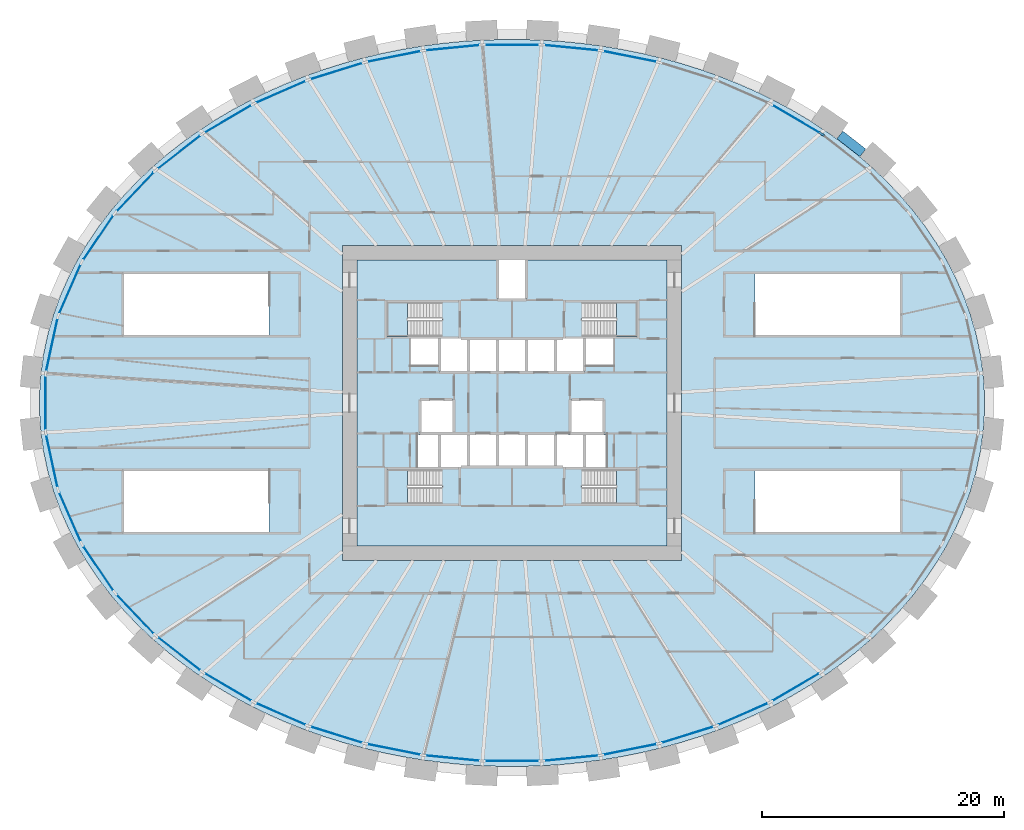
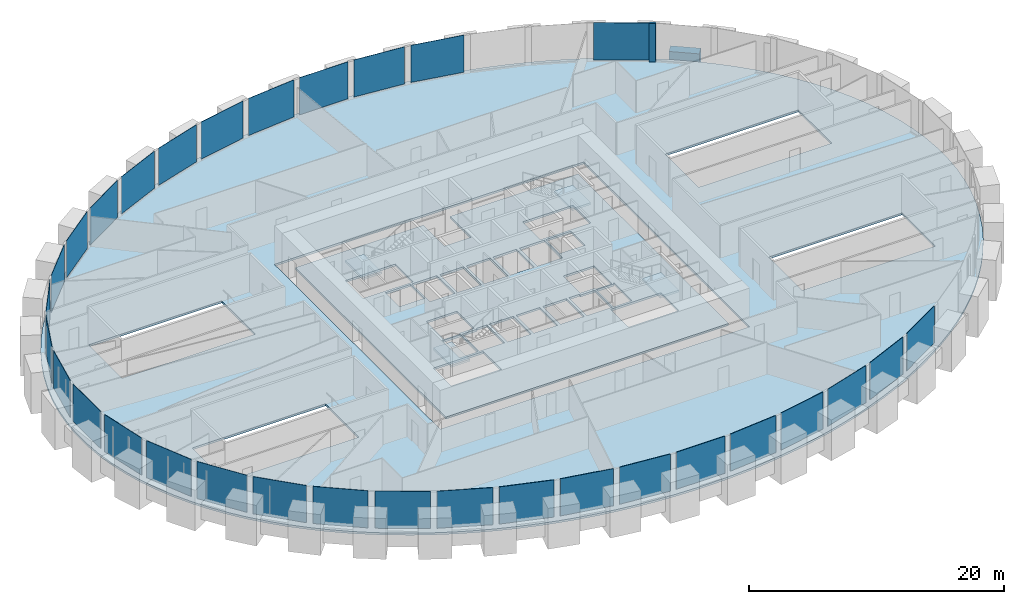
# One storey, part 4 of 12: 31 plates, 6 slabs, 1 beam, 1 member, 5 elements without a shape of their own.
"""IFC4 building model written with IfcOpenShell, lengths in metres."""

from ifc_helpers import new_model, si_unit, direction, frame, origin, origin_2d, place, context, subcontext, project, spatial, polyline, rectangle, outline, extrude, source, transform, mapped, material, layer, layer_set, material_profile, profile_set, type_object, element, aggregate, save


model = new_model("IFC4")

# Units and contexts
model_context = context("Model", 3, precision=1e-05, world=origin(), true_north=direction((0.0, 1.0)))
body_context = subcontext(model_context, "Body", "Model", "MODEL_VIEW")
ifc_project = project(units=[si_unit("LENGTHUNIT", "METRE"), si_unit("AREAUNIT", "SQUARE_METRE"), si_unit("VOLUMEUNIT", "CUBIC_METRE"), si_unit("PLANEANGLEUNIT", "RADIAN"), si_unit("MASSUNIT", "GRAM", prefix="KILO")], contexts=[model_context])

# Site, building, storey
site_placement = place(None, origin())
site = spatial("IfcSite", under=ifc_project, at=site_placement, CompositionType="ELEMENT")
building_placement = place(site_placement, origin())
building = spatial("IfcBuilding", under=site, at=building_placement, Name="Embergate Tower", CompositionType="ELEMENT")
storey_placement = place(building_placement, frame((0.0, 0.0, 38.0)))
storey = spatial("IfcBuildingStorey", under=building, at=storey_placement, Name="L05", CompositionType="ELEMENT", Elevation=38.0)

# Beam
ifc_material_1 = material(Name="Concrete C70", Category="concrete")
ifc_material_profile_1 = material_profile(ifc_material_1, rectangle(XDim=0.800048828125, YDim=1.5, at=origin_2d()), Name="RC 800x1500")
ifc_profile_set_1 = profile_set([ifc_material_profile_1], Name="Concrete C70")
beam_type = type_object("IfcBeamType", Name="Spandrel beam RC 800x1500 C70", PredefinedType="BEAM", material=ifc_profile_set_1)
shared_shape_1 = source(origin(), body_context, "Body", "SweptSolid", [
    extrude(rectangle(XDim=0.800048828125, YDim=1.5, at=origin_2d()), origin(), (0.0, 0.0, 1.0), 2.40234375),
])
beam_placement = place(storey_placement, frame((28.94189453125, 20.637939453125, 0.0), z_axis=(-0.788327805862, 0.615255451423, 0.0), x_axis=(-0.615255451423, -0.788327805862, 0.0)))
element("IfcBeam", 1, at=beam_placement, inside=storey, type_object=beam_type, Name="SPN-L05-04", PredefinedType="BEAM", context=body_context, shape_type="MappedRepresentation", body=[
    mapped(shared_shape_1, transform((0.0, 0.0, 0.0))),
])

# Curtain wall, member
ifc_material_2 = material(Name="Aluminium and glass", Category="aluminium")
curtain_wall_type = type_object("IfcCurtainWallType", Name="Recessed office glazing", PredefinedType="NOTDEFINED", material=ifc_material_2)
curtain_wall_placement = place(storey_placement, origin())
curtain_wall = element("IfcCurtainWall", 2, at=curtain_wall_placement, inside=storey, type_object=curtain_wall_type, Name="Recessed office glazing ring", ObjectType="RECESSED OFFICE GLAZING", PredefinedType="USERDEFINED")
ifc_material_3 = material(Name="Aluminium, thermally broken", Category="aluminium")
ifc_material_profile_2 = material_profile(ifc_material_3, rectangle(XDim=0.179931640625, YDim=0.52001953125, at=origin_2d()), Name="AL 520x180")
ifc_profile_set_2 = profile_set([ifc_material_profile_2], Name="Aluminium, thermally broken")
member_type = type_object("IfcMemberType", Name="Office mullion", PredefinedType="MULLION", material=ifc_profile_set_2)
shared_shape_2 = source(origin(), body_context, "Body", "SweptSolid", [
    extrude(rectangle(XDim=0.179931640625, YDim=0.52001953125, at=origin_2d()), origin(), (0.0, 0.0, 1.0), 3.699951171875),
])
member_placement = place(storey_placement, frame((25.53271484375, 22.19677734375, 0.0), z_axis=(0.0, 0.0, 1.0), x_axis=(-0.562216175174, -0.826990309721, 0.0)))
member = element("IfcMember", 3, at=member_placement, type_object=member_type, Name="CW mullion 6", PredefinedType="MULLION", context=body_context, shape_type="MappedRepresentation", body=[
    mapped(shared_shape_2, transform((0.0, 0.0, 0.0))),
])

# Slab
ifc_material_4 = material(Name="Concrete C40", Category="concrete")
ifc_layer_1 = layer(ifc_material_4, 0.199951171875)
ifc_layer_set_1 = layer_set([ifc_layer_1], Name="Concrete C40")
slab_type_1 = type_object("IfcSlabType", Name="Composite floor slab C40 200", PredefinedType="FLOOR", material=ifc_layer_set_1)
shared_shape_3 = source(origin(), body_context, "Body", "SweptSolid", [
    extrude(outline(polyline([(0.0, 0.0), (1.64990234375, 0.0), (3.296875, 0.05322265625), (4.946044921875, 0.1611328125), (6.5869140625, 0.322021484375), (8.218017578125, 0.537109375), (9.850830078125, 0.80810546875), (11.468017578125, 1.132080078125), (13.06494140625, 1.509033203125), (14.666015625, 1.946044921875), (16.240966796875, 2.43701171875), (17.785888671875, 2.97900390625), (19.3330078125, 3.588134765625), (20.843994140625, 4.248046875), (22.31494140625, 4.960205078125), (23.784912109375, 5.7451171875), (25.2060546875, 6.580078125), (26.575927734375, 7.465087890625), (27.93701171875, 8.43115234375), (29.237060546875, 9.445068359375), (30.471923828125, 10.506103515625), (31.68505859375, 11.654052734375), (32.822998046875, 12.84716796875), (33.883056640625, 14.08203125), (34.89892578125, 15.4072265625), (35.825927734375, 16.76904296875), (36.660888671875, 18.1669921875), (37.425048828125, 19.647216796875), (38.0869140625, 21.156005859375), (38.64404296875, 22.690185546875), (39.10400390625, 24.283203125), (39.450927734375, 25.89404296875), (39.682861328125, 27.51708984375), (39.800048828125, 29.1611328125), (39.800048828125, 30.80908203125), (39.682861328125, 32.453125), (39.450927734375, 34.076171875), (39.10400390625, 35.68701171875), (38.64404296875, 37.280029296875), (38.0869140625, 38.814208984375), (37.425048828125, 40.322998046875), (36.660888671875, 41.80322265625), (35.825927734375, 43.201171875), (34.89892578125, 44.56298828125), (33.883056640625, 45.88818359375), (32.822998046875, 47.123046875), (31.68505859375, 48.316162109375), (30.471923828125, 49.464111328125), (29.237060546875, 50.525146484375), (27.93701171875, 51.5390625), (26.575927734375, 52.505126953125), (25.2060546875, 53.39013671875), (23.784912109375, 54.22509765625), (22.31494140625, 55.010009765625), (20.843994140625, 55.72216796875), (19.3330078125, 56.382080078125), (17.785888671875, 56.9912109375), (16.240966796875, 57.533203125), (14.666015625, 58.024169921875), (13.06494140625, 58.461181640625), (11.468017578125, 58.838134765625), (9.850830078125, 59.162109375), (8.218017578125, 59.43310546875), (6.5869140625, 59.648193359375), (4.946044921875, 59.80908203125), (3.296875, 59.9169921875), (1.64990234375, 59.97021484375), (0.0, 59.97021484375), (-1.64697265625, 59.9169921875), (-3.296142578125, 59.80908203125), (-4.93701171875, 59.648193359375), (-6.568115234375, 59.43310546875), (-8.200927734375, 59.162109375), (-9.818115234375, 58.838134765625), (-11.4150390625, 58.461181640625), (-13.01611328125, 58.024169921875), (-14.591064453125, 57.533203125), (-16.135986328125, 56.9912109375), (-17.68310546875, 56.382080078125), (-19.194091796875, 55.72216796875), (-20.6650390625, 55.010009765625), (-22.135009765625, 54.22509765625), (-23.55615234375, 53.39013671875), (-24.926025390625, 52.505126953125), (-26.287109375, 51.5390625), (-27.587158203125, 50.525146484375), (-28.822021484375, 49.464111328125), (-30.03515625, 48.316162109375), (-31.173095703125, 47.123046875), (-32.233154296875, 45.88818359375), (-33.2490234375, 44.56298828125), (-34.176025390625, 43.201171875), (-35.010986328125, 41.80322265625), (-35.775146484375, 40.322998046875), (-36.43701171875, 38.814208984375), (-36.994140625, 37.280029296875), (-37.4541015625, 35.68701171875), (-37.801025390625, 34.076171875), (-38.032958984375, 32.453125), (-38.150146484375, 30.80908203125), (-38.150146484375, 29.1611328125), (-38.032958984375, 27.51708984375), (-37.801025390625, 25.89404296875), (-37.4541015625, 24.283203125), (-36.994140625, 22.690185546875), (-36.43701171875, 21.156005859375), (-35.775146484375, 19.647216796875), (-35.010986328125, 18.1669921875), (-34.176025390625, 16.76904296875), (-33.2490234375, 15.4072265625), (-32.233154296875, 14.08203125), (-31.173095703125, 12.84716796875), (-30.03515625, 11.654052734375), (-28.822021484375, 10.506103515625), (-27.587158203125, 9.445068359375), (-26.287109375, 8.43115234375), (-24.926025390625, 7.465087890625), (-23.55615234375, 6.580078125), (-22.135009765625, 5.7451171875), (-20.6650390625, 4.960205078125), (-19.194091796875, 4.248046875), (-17.68310546875, 3.588134765625), (-16.135986328125, 2.97900390625), (-14.591064453125, 2.43701171875), (-13.01611328125, 1.946044921875), (-11.4150390625, 1.509033203125), (-9.818115234375, 1.132080078125), (-8.200927734375, 0.80810546875), (-6.568115234375, 0.537109375), (-4.93701171875, 0.322021484375), (-3.296142578125, 0.1611328125), (-1.64697265625, 0.05322265625), (0.0, 0.0)]), holes=[polyline([(-13.175048828125, 16.985107421875), (-13.175048828125, 42.985107421875), (14.824951171875, 42.985107421875), (14.824951171875, 16.985107421875), (-13.175048828125, 16.985107421875)]), polyline([(-31.295166015625, 19.235107421875), (-31.295166015625, 24.485107421875), (-19.235107421875, 24.485107421875), (-19.235107421875, 19.235107421875), (-31.295166015625, 19.235107421875)]), polyline([(20.885009765625, 19.235107421875), (20.885009765625, 24.485107421875), (32.945068359375, 24.485107421875), (32.945068359375, 19.235107421875), (20.885009765625, 19.235107421875)]), polyline([(-31.295166015625, 35.485107421875), (-31.295166015625, 40.735107421875), (-19.235107421875, 40.735107421875), (-19.235107421875, 35.485107421875), (-31.295166015625, 35.485107421875)]), polyline([(20.885009765625, 35.485107421875), (20.885009765625, 40.735107421875), (32.945068359375, 40.735107421875), (32.945068359375, 35.485107421875), (20.885009765625, 35.485107421875)])]), origin(), (0.0, 0.0, 1.0), 0.199951171875),
])
slab_1_placement = place(storey_placement, frame((-0.824951171875, -29.985107421875, -0.199951171875)))
element("IfcSlab", 4, at=slab_1_placement, inside=storey, type_object=slab_type_1, Name="SLB-L05-00", PredefinedType="FLOOR", context=body_context, shape_type="MappedRepresentation", body=[
    mapped(shared_shape_3, transform((0.0, 0.0, 0.0))),
])

# Plate
ifc_material_5 = material(Name="Triple glazing, low-emissivity coating", Category="glass")
ifc_layer_2 = layer(ifc_material_5, 0.035888671875)
ifc_layer_set_2 = layer_set([ifc_layer_2], Name="Triple glazing, low-emissivity coating")
plate_type = type_object("IfcPlateType", Name="Office glazing unit", PredefinedType="CURTAIN_PANEL", material=ifc_layer_set_2)
shared_shape_4 = source(origin(), body_context, "Body", "SweptSolid", [
    extrude(rectangle(XDim=4.336181640625, YDim=0.035888671875, at=origin_2d()), origin(), (0.0, 0.0, 1.0), 3.550048828125),
])
plate_1_placement = place(storey_placement, frame((-37.958984375, 4.800537109375, 0.14990234375), z_axis=(0.0, 0.0, 1.0), x_axis=(-0.210398391177, -0.97761573074, 0.0)))
plate_1 = element("IfcPlate", 5, at=plate_1_placement, type_object=plate_type, Name="CW panel 21.1", PredefinedType="CURTAIN_PANEL", context=body_context, shape_type="MappedRepresentation", body=[
    mapped(shared_shape_4, transform((0.0, 0.0, 0.0))),
])

plate_2_placement = place(storey_placement, frame((-37.958984375, -4.800537109375, 0.14990234375), z_axis=(0.0, 0.0, 1.0), x_axis=(0.210398391177, -0.97761573074, 0.0)))
plate_2 = element("IfcPlate", 6, at=plate_2_placement, type_object=plate_type, Name="CW panel 23.1", PredefinedType="CURTAIN_PANEL", context=body_context, shape_type="MappedRepresentation", body=[
    mapped(shared_shape_4, transform((0.0, 0.0, 0.0))),
])

shared_shape_5 = source(origin(), body_context, "Body", "SweptSolid", [
    extrude(rectangle(XDim=4.34326171875, YDim=0.035888671875, at=origin_2d()), origin(), (0.0, 0.0, 1.0), 3.550048828125),
])
plate_3_placement = place(storey_placement, frame((-36.471435546875, 9.401123046875, 0.14990234375), z_axis=(0.0, 0.0, 1.0), x_axis=(-0.401653699516, -0.915791627864, 0.0)))
plate_3 = element("IfcPlate", 7, at=plate_3_placement, type_object=plate_type, Name="CW panel 20.1", PredefinedType="CURTAIN_PANEL", context=body_context, shape_type="MappedRepresentation", body=[
    mapped(shared_shape_5, transform((0.0, 0.0, 0.0))),
])

plate_4_placement = place(storey_placement, frame((-36.471435546875, -9.401123046875, 0.14990234375), z_axis=(0.0, 0.0, 1.0), x_axis=(0.401653699516, -0.915791627864, 0.0)))
plate_4 = element("IfcPlate", 8, at=plate_4_placement, type_object=plate_type, Name="CW panel 24.1", PredefinedType="CURTAIN_PANEL", context=body_context, shape_type="MappedRepresentation", body=[
    mapped(shared_shape_5, transform((0.0, 0.0, 0.0))),
])

shared_shape_6 = source(origin(), body_context, "Body", "SweptSolid", [
    extrude(rectangle(XDim=4.352294921875, YDim=0.035888671875, at=origin_2d()), origin(), (0.0, 0.0, 1.0), 3.550048828125),
])
plate_5_placement = place(storey_placement, frame((-34.125, 13.642578125, 0.14990234375), z_axis=(0.0, 0.0, 1.0), x_axis=(-0.562344628355, -0.826902968286, 0.0)))
plate_5 = element("IfcPlate", 9, at=plate_5_placement, type_object=plate_type, Name="CW panel 19.1", PredefinedType="CURTAIN_PANEL", context=body_context, shape_type="MappedRepresentation", body=[
    mapped(shared_shape_6, transform((0.0, 0.0, 0.0))),
])

plate_6_placement = place(storey_placement, frame((-34.125, -13.642578125, 0.14990234375), z_axis=(0.0, 0.0, 1.0), x_axis=(0.562344628355, -0.826902968286, 0.0)))
plate_6 = element("IfcPlate", 10, at=plate_6_placement, type_object=plate_type, Name="CW panel 25.1", PredefinedType="CURTAIN_PANEL", context=body_context, shape_type="MappedRepresentation", body=[
    mapped(shared_shape_6, transform((0.0, 0.0, 0.0))),
])

shared_shape_7 = source(origin(), body_context, "Body", "SweptSolid", [
    extrude(rectangle(XDim=4.36083984375, YDim=0.035888671875, at=origin_2d()), origin(), (0.0, 0.0, 1.0), 3.550048828125),
])
plate_7_placement = place(storey_placement, frame((-31.07080078125, 17.423095703125, 0.14990234375), z_axis=(0.0, 0.0, 1.0), x_axis=(-0.690136310586, -0.723679399189, 0.0)))
plate_7 = element("IfcPlate", 11, at=plate_7_placement, type_object=plate_type, Name="CW panel 18.1", PredefinedType="CURTAIN_PANEL", context=body_context, shape_type="MappedRepresentation", body=[
    mapped(shared_shape_7, transform((0.0, 0.0, 0.0))),
])

plate_8_placement = place(storey_placement, frame((-31.07080078125, -17.423095703125, 0.14990234375), z_axis=(0.0, 0.0, 1.0), x_axis=(0.690136310586, -0.723679399189, 0.0)))
plate_8 = element("IfcPlate", 12, at=plate_8_placement, type_object=plate_type, Name="CW panel 26.1", PredefinedType="CURTAIN_PANEL", context=body_context, shape_type="MappedRepresentation", body=[
    mapped(shared_shape_7, transform((0.0, 0.0, 0.0))),
])

shared_shape_8 = source(origin(), body_context, "Body", "SweptSolid", [
    extrude(rectangle(XDim=4.368408203125, YDim=0.035888671875, at=origin_2d()), origin(), (0.0, 0.0, 1.0), 3.550048828125),
])
plate_9_placement = place(storey_placement, frame((-27.459716796875, 20.69287109375, 0.14990234375), z_axis=(0.0, 0.0, 1.0), x_axis=(-0.788322266931, -0.615262548398, 0.0)))
plate_9 = element("IfcPlate", 13, at=plate_9_placement, type_object=plate_type, Name="CW panel 17.1", PredefinedType="CURTAIN_PANEL", context=body_context, shape_type="MappedRepresentation", body=[
    mapped(shared_shape_8, transform((0.0, 0.0, 0.0))),
])

plate_10_placement = place(storey_placement, frame((-27.459716796875, -20.69287109375, 0.14990234375), z_axis=(0.0, 0.0, 1.0), x_axis=(0.788322266931, -0.615262548398, 0.0)))
plate_10 = element("IfcPlate", 14, at=plate_10_placement, type_object=plate_type, Name="CW panel 27.1", PredefinedType="CURTAIN_PANEL", context=body_context, shape_type="MappedRepresentation", body=[
    mapped(shared_shape_8, transform((0.0, 0.0, 0.0))),
])

shared_shape_9 = source(origin(), body_context, "Body", "SweptSolid", [
    extrude(rectangle(XDim=4.37451171875, YDim=0.035888671875, at=origin_2d()), origin(), (0.0, 0.0, 1.0), 3.550048828125),
])
plate_11_placement = place(storey_placement, frame((23.423095703125, 23.43701171875, 0.14990234375), z_axis=(0.0, 0.0, 1.0), x_axis=(-0.862054052374, 0.506816348183, 0.0)))
plate_11 = element("IfcPlate", 15, at=plate_11_placement, type_object=plate_type, Name="CW panel 6.1", PredefinedType="CURTAIN_PANEL", context=body_context, shape_type="MappedRepresentation", body=[
    mapped(shared_shape_9, transform((0.0, 0.0, 0.0))),
])

plate_12_placement = place(storey_placement, frame((-23.423095703125, 23.43701171875, 0.14990234375), z_axis=(0.0, 0.0, 1.0), x_axis=(-0.862054052374, -0.506816348183, 0.0)))
plate_12 = element("IfcPlate", 16, at=plate_12_placement, type_object=plate_type, Name="CW panel 16.1", PredefinedType="CURTAIN_PANEL", context=body_context, shape_type="MappedRepresentation", body=[
    mapped(shared_shape_9, transform((0.0, 0.0, 0.0))),
])

plate_13_placement = place(storey_placement, frame((-23.423095703125, -23.43701171875, 0.14990234375), z_axis=(0.0, 0.0, 1.0), x_axis=(0.862054052374, -0.506816348183, 0.0)))
plate_13 = element("IfcPlate", 17, at=plate_13_placement, type_object=plate_type, Name="CW panel 28.1", PredefinedType="CURTAIN_PANEL", context=body_context, shape_type="MappedRepresentation", body=[
    mapped(shared_shape_9, transform((0.0, 0.0, 0.0))),
])

plate_14_placement = place(storey_placement, frame((23.423095703125, -23.43701171875, 0.14990234375), z_axis=(0.0, 0.0, 1.0), x_axis=(0.862054052374, 0.506816348183, 0.0)))
plate_14 = element("IfcPlate", 18, at=plate_14_placement, type_object=plate_type, Name="CW panel 38.1", PredefinedType="CURTAIN_PANEL", context=body_context, shape_type="MappedRepresentation", body=[
    mapped(shared_shape_9, transform((0.0, 0.0, 0.0))),
])

shared_shape_10 = source(origin(), body_context, "Body", "SweptSolid", [
    extrude(rectangle(XDim=4.37890625, YDim=0.035888671875, at=origin_2d()), origin(), (0.0, 0.0, 1.0), 3.550048828125),
])
plate_15_placement = place(storey_placement, frame((-19.069091796875, 25.65869140625, 0.14990234375), z_axis=(0.0, 0.0, 1.0), x_axis=(-0.916236910986, -0.400636896638, 0.0)))
plate_15 = element("IfcPlate", 19, at=plate_15_placement, type_object=plate_type, Name="CW panel 15.1", PredefinedType="CURTAIN_PANEL", context=body_context, shape_type="MappedRepresentation", body=[
    mapped(shared_shape_10, transform((0.0, 0.0, 0.0))),
])

plate_16_placement = place(storey_placement, frame((-19.069091796875, -25.65869140625, 0.14990234375), z_axis=(0.0, 0.0, 1.0), x_axis=(0.916236910986, -0.400636896638, 0.0)))
plate_16 = element("IfcPlate", 20, at=plate_16_placement, type_object=plate_type, Name="CW panel 29.1", PredefinedType="CURTAIN_PANEL", context=body_context, shape_type="MappedRepresentation", body=[
    mapped(shared_shape_10, transform((0.0, 0.0, 0.0))),
])

plate_17_placement = place(storey_placement, frame((19.069091796875, -25.65869140625, 0.14990234375), z_axis=(0.0, 0.0, 1.0), x_axis=(0.916236910986, 0.400636896638, 0.0)))
plate_17 = element("IfcPlate", 21, at=plate_17_placement, type_object=plate_type, Name="CW panel 37.1", PredefinedType="CURTAIN_PANEL", context=body_context, shape_type="MappedRepresentation", body=[
    mapped(shared_shape_10, transform((0.0, 0.0, 0.0))),
])

shared_shape_11 = source(origin(), body_context, "Body", "SweptSolid", [
    extrude(rectangle(XDim=4.38232421875, YDim=0.035888671875, at=origin_2d()), origin(), (0.0, 0.0, 1.0), 3.550048828125),
])
plate_18_placement = place(storey_placement, frame((-14.484619140625, 27.368896484375, 0.14990234375), z_axis=(0.0, 0.0, 1.0), x_axis=(-0.954772736126, -0.297336547283, 0.0)))
plate_18 = element("IfcPlate", 22, at=plate_18_placement, type_object=plate_type, Name="CW panel 14.1", PredefinedType="CURTAIN_PANEL", context=body_context, shape_type="MappedRepresentation", body=[
    mapped(shared_shape_11, transform((0.0, 0.0, 0.0))),
])

plate_19_placement = place(storey_placement, frame((-14.484619140625, -27.368896484375, 0.14990234375), z_axis=(0.0, 0.0, 1.0), x_axis=(0.954772736126, -0.297336547283, 0.0)))
plate_19 = element("IfcPlate", 23, at=plate_19_placement, type_object=plate_type, Name="CW panel 30.1", PredefinedType="CURTAIN_PANEL", context=body_context, shape_type="MappedRepresentation", body=[
    mapped(shared_shape_11, transform((0.0, 0.0, 0.0))),
])

plate_20_placement = place(storey_placement, frame((14.484619140625, -27.368896484375, 0.14990234375), z_axis=(0.0, 0.0, 1.0), x_axis=(0.954772736126, 0.297336547283, 0.0)))
plate_20 = element("IfcPlate", 24, at=plate_20_placement, type_object=plate_type, Name="CW panel 36.1", PredefinedType="CURTAIN_PANEL", context=body_context, shape_type="MappedRepresentation", body=[
    mapped(shared_shape_11, transform((0.0, 0.0, 0.0))),
])

shared_shape_12 = source(origin(), body_context, "Body", "SweptSolid", [
    extrude(rectangle(XDim=4.384521484375, YDim=0.035888671875, at=origin_2d()), origin(), (0.0, 0.0, 1.0), 3.550048828125),
])
plate_21_placement = place(storey_placement, frame((9.73974609375, 28.580078125, 0.14990234375), z_axis=(0.0, 0.0, 1.0), x_axis=(-0.980475907409, 0.196639250889, 0.0)))
plate_21 = element("IfcPlate", 25, at=plate_21_placement, type_object=plate_type, Name="CW panel 9.1", PredefinedType="CURTAIN_PANEL", context=body_context, shape_type="MappedRepresentation", body=[
    mapped(shared_shape_12, transform((0.0, 0.0, 0.0))),
])

plate_22_placement = place(storey_placement, frame((-9.73974609375, 28.580078125, 0.14990234375), z_axis=(0.0, 0.0, 1.0), x_axis=(-0.980475907409, -0.196639250889, 0.0)))
plate_22 = element("IfcPlate", 26, at=plate_22_placement, type_object=plate_type, Name="CW panel 13.1", PredefinedType="CURTAIN_PANEL", context=body_context, shape_type="MappedRepresentation", body=[
    mapped(shared_shape_12, transform((0.0, 0.0, 0.0))),
])

plate_23_placement = place(storey_placement, frame((-9.73974609375, -28.580078125, 0.14990234375), z_axis=(0.0, 0.0, 1.0), x_axis=(0.980475907409, -0.196639250889, 0.0)))
plate_23 = element("IfcPlate", 27, at=plate_23_placement, type_object=plate_type, Name="CW panel 31.1", PredefinedType="CURTAIN_PANEL", context=body_context, shape_type="MappedRepresentation", body=[
    mapped(shared_shape_12, transform((0.0, 0.0, 0.0))),
])

plate_24_placement = place(storey_placement, frame((9.73974609375, -28.580078125, 0.14990234375), z_axis=(0.0, 0.0, 1.0), x_axis=(0.980475907409, 0.196639250889, 0.0)))
plate_24 = element("IfcPlate", 28, at=plate_24_placement, type_object=plate_type, Name="CW panel 35.1", PredefinedType="CURTAIN_PANEL", context=body_context, shape_type="MappedRepresentation", body=[
    mapped(shared_shape_12, transform((0.0, 0.0, 0.0))),
])

shared_shape_13 = source(origin(), body_context, "Body", "SweptSolid", [
    extrude(rectangle(XDim=4.3857421875, YDim=0.035888671875, at=origin_2d()), origin(), (0.0, 0.0, 1.0), 3.550048828125),
])
plate_25_placement = place(storey_placement, frame((4.894287109375, 29.30224609375, 0.14990234375), z_axis=(0.0, 0.0, 1.0), x_axis=(-0.995203184788, 0.097829550688, 0.0)))
plate_25 = element("IfcPlate", 29, at=plate_25_placement, type_object=plate_type, Name="CW panel 10.1", PredefinedType="CURTAIN_PANEL", context=body_context, shape_type="MappedRepresentation", body=[
    mapped(shared_shape_13, transform((0.0, 0.0, 0.0))),
])

plate_26_placement = place(storey_placement, frame((-4.894287109375, 29.30224609375, 0.14990234375), z_axis=(0.0, 0.0, 1.0), x_axis=(-0.995203184788, -0.097829550688, 0.0)))
plate_26 = element("IfcPlate", 30, at=plate_26_placement, type_object=plate_type, Name="CW panel 12.1", PredefinedType="CURTAIN_PANEL", context=body_context, shape_type="MappedRepresentation", body=[
    mapped(shared_shape_13, transform((0.0, 0.0, 0.0))),
])

plate_27_placement = place(storey_placement, frame((-4.894287109375, -29.30224609375, 0.14990234375), z_axis=(0.0, 0.0, 1.0), x_axis=(0.995203184788, -0.097829550688, 0.0)))
plate_27 = element("IfcPlate", 31, at=plate_27_placement, type_object=plate_type, Name="CW panel 32.1", PredefinedType="CURTAIN_PANEL", context=body_context, shape_type="MappedRepresentation", body=[
    mapped(shared_shape_13, transform((0.0, 0.0, 0.0))),
])

plate_28_placement = place(storey_placement, frame((4.894287109375, -29.30224609375, 0.14990234375), z_axis=(0.0, 0.0, 1.0), x_axis=(0.995203184788, 0.097829550688, 0.0)))
plate_28 = element("IfcPlate", 32, at=plate_28_placement, type_object=plate_type, Name="CW panel 34.1", PredefinedType="CURTAIN_PANEL", context=body_context, shape_type="MappedRepresentation", body=[
    mapped(shared_shape_13, transform((0.0, 0.0, 0.0))),
])

shared_shape_14 = source(origin(), body_context, "Body", "SweptSolid", [
    extrude(rectangle(XDim=4.38623046875, YDim=0.035888671875, at=origin_2d()), origin(), (0.0, 0.0, 1.0), 3.550048828125),
])
plate_29_placement = place(storey_placement, frame((0.0, 29.5419921875, 0.14990234375), z_axis=(0.0, 0.0, 1.0), x_axis=(-1.0, 0.0, 0.0)))
plate_29 = element("IfcPlate", 33, at=plate_29_placement, type_object=plate_type, Name="CW panel 11.1", PredefinedType="CURTAIN_PANEL", context=body_context, shape_type="MappedRepresentation", body=[
    mapped(shared_shape_14, transform((0.0, 0.0, 0.0))),
])

plate_30_placement = place(storey_placement, frame((0.0, -29.5419921875, 0.14990234375), z_axis=(0.0, 0.0, 1.0), x_axis=(1.0, 0.0, 0.0)))
plate_30 = element("IfcPlate", 34, at=plate_30_placement, type_object=plate_type, Name="CW panel 33.1", PredefinedType="CURTAIN_PANEL", context=body_context, shape_type="MappedRepresentation", body=[
    mapped(shared_shape_14, transform((0.0, 0.0, 0.0))),
])

shared_shape_15 = source(origin(), body_context, "Body", "SweptSolid", [
    extrude(rectangle(XDim=4.33349609375, YDim=0.035888671875, at=origin_2d()), origin(), (0.0, 0.0, 1.0), 3.550048828125),
])
plate_31_placement = place(storey_placement, frame((-38.469970703125, 0.0, 0.14990234375), z_axis=(0.0, 0.0, 1.0), x_axis=(0.0, -1.0, 0.0)))
plate_31 = element("IfcPlate", 35, at=plate_31_placement, type_object=plate_type, Name="CW panel 22.1", PredefinedType="CURTAIN_PANEL", context=body_context, shape_type="MappedRepresentation", body=[
    mapped(shared_shape_15, transform((0.0, 0.0, 0.0))),
])

aggregate(curtain_wall, [member, plate_11, plate_21, plate_25, plate_29, plate_26, plate_22, plate_18, plate_15, plate_12, plate_9, plate_7, plate_5, plate_3, plate_1, plate_31, plate_2, plate_4, plate_6, plate_8, plate_10, plate_13, plate_16, plate_19, plate_23, plate_27, plate_30, plate_28, plate_24, plate_20, plate_17, plate_14])

# Stair, slab
ifc_material_6 = material(Name="Exit stair")
stair_type = type_object("IfcStairType", Name="Exit stair", PredefinedType="HALF_TURN_STAIR", material=ifc_material_6)
stair_1_placement = place(storey_placement, origin())
stair_1 = element("IfcStair", 36, at=stair_1_placement, inside=storey, type_object=stair_type, Name="L05 Exit stair 1", PredefinedType="HALF_TURN_STAIR")
ifc_layer_3 = layer(ifc_material_4, 0.199951171875)
ifc_layer_set_3 = layer_set([ifc_layer_3], Name="Concrete C40")
slab_type_2 = type_object("IfcSlabType", Name="Stair landing reinforced concrete", PredefinedType="LANDING", material=ifc_layer_set_3)
shared_shape_16 = source(origin(), body_context, "Body", "SweptSolid", [
    extrude(outline(polyline([(0.0, 0.0), (1.68994140625, 0.0), (1.68994140625, 2.800048828125), (0.0, 2.800048828125), (0.0, 0.0)])), origin(), (0.0, 0.0, 1.0), 0.199951171875),
])
slab_2_placement = place(storey_placement, frame((-10.300048828125, 5.5, 1.75)))
slab_2 = element("IfcSlab", 37, at=slab_2_placement, type_object=slab_type_2, Name="ST1 landing 1", PredefinedType="LANDING", context=body_context, shape_type="MappedRepresentation", body=[
    mapped(shared_shape_16, transform((0.0, 0.0, 0.0))),
])
aggregate(stair_1, [slab_2])

stair_2_placement = place(storey_placement, origin())
stair_2 = element("IfcStair", 38, at=stair_2_placement, inside=storey, type_object=stair_type, Name="L05 Exit stair 2", PredefinedType="HALF_TURN_STAIR")
slab_3_placement = place(storey_placement, frame((8.610107421875, 5.5, 1.75)))
slab_3 = element("IfcSlab", 39, at=slab_3_placement, type_object=slab_type_2, Name="ST2 landing 1", PredefinedType="LANDING", context=body_context, shape_type="MappedRepresentation", body=[
    mapped(shared_shape_16, transform((0.0, 0.0, 0.0))),
])
aggregate(stair_2, [slab_3])

stair_3_placement = place(storey_placement, origin())
stair_3 = element("IfcStair", 40, at=stair_3_placement, inside=storey, type_object=stair_type, Name="L05 Exit stair 3", PredefinedType="HALF_TURN_STAIR")
slab_4_placement = place(storey_placement, frame((-10.300048828125, -8.300048828125, 1.75)))
slab_4 = element("IfcSlab", 41, at=slab_4_placement, type_object=slab_type_2, Name="ST3 landing 1", PredefinedType="LANDING", context=body_context, shape_type="MappedRepresentation", body=[
    mapped(shared_shape_16, transform((0.0, 0.0, 0.0))),
])
aggregate(stair_3, [slab_4])

stair_4_placement = place(storey_placement, origin())
stair_4 = element("IfcStair", 42, at=stair_4_placement, inside=storey, type_object=stair_type, Name="L05 Exit stair 4", PredefinedType="HALF_TURN_STAIR")
slab_5_placement = place(storey_placement, frame((8.610107421875, -8.300048828125, 1.75)))
slab_5 = element("IfcSlab", 43, at=slab_5_placement, type_object=slab_type_2, Name="ST4 landing 1", PredefinedType="LANDING", context=body_context, shape_type="MappedRepresentation", body=[
    mapped(shared_shape_16, transform((0.0, 0.0, 0.0))),
])
aggregate(stair_4, [slab_5])

# Slab
ifc_layer_4 = layer(ifc_material_4, 0.199951171875)
ifc_layer_set_4 = layer_set([ifc_layer_4], Name="Concrete C40")
slab_type_3 = type_object("IfcSlabType", Name="Core floor slab 200 reinforced concrete", PredefinedType="FLOOR", material=ifc_layer_set_4)
shared_shape_17 = source(origin(), body_context, "Body", "SweptSolid", [
    extrude(outline(polyline([(0.0, 0.0), (25.60009765625, 0.0), (25.60009765625, 23.60009765625), (14.0, 23.60009765625), (14.0, 20.300048828125), (11.60009765625, 20.300048828125), (11.60009765625, 23.60009765625), (0.0, 23.60009765625), (0.0, 0.0)]), holes=[polyline([(2.5, 3.5), (2.5, 6.300048828125), (7.0400390625, 6.300048828125), (7.0400390625, 3.5), (2.5, 3.5)]), polyline([(18.56005859375, 3.5), (18.56005859375, 6.300048828125), (23.10009765625, 6.300048828125), (23.10009765625, 3.5), (18.56005859375, 3.5)]), polyline([(5.0, 6.5), (5.0, 9.300048828125), (5.074951171875, 9.300048828125), (5.074951171875, 9.175048828125), (6.675048828125, 9.175048828125), (6.675048828125, 6.5), (5.0, 6.5)]), polyline([(6.800048828125, 6.5), (6.800048828125, 9.175048828125), (8.125, 9.175048828125), (8.125, 9.300048828125), (9.074951171875, 9.300048828125), (9.074951171875, 6.5), (6.800048828125, 6.5)]), polyline([(9.324951171875, 6.5), (9.324951171875, 9.300048828125), (11.47509765625, 9.300048828125), (11.47509765625, 6.5), (9.324951171875, 6.5)]), polyline([(11.72509765625, 6.5), (11.72509765625, 9.300048828125), (13.875, 9.300048828125), (13.875, 6.5), (11.72509765625, 6.5)]), polyline([(14.125, 6.5), (14.125, 9.300048828125), (16.275146484375, 9.300048828125), (16.275146484375, 6.5), (14.125, 6.5)]), polyline([(16.525146484375, 6.5), (16.525146484375, 9.300048828125), (17.47509765625, 9.300048828125), (17.47509765625, 9.175048828125), (18.800048828125, 9.175048828125), (18.800048828125, 6.5), (16.525146484375, 6.5)]), polyline([(18.925048828125, 6.5), (18.925048828125, 9.175048828125), (20.525146484375, 9.175048828125), (20.525146484375, 9.300048828125), (20.60009765625, 9.300048828125), (20.60009765625, 6.5), (18.925048828125, 6.5)]), polyline([(5.199951171875, 9.300048828125), (5.199951171875, 12.10009765625), (8.0, 12.10009765625), (8.0, 9.425048828125), (6.675048828125, 9.425048828125), (6.675048828125, 9.300048828125), (5.199951171875, 9.300048828125)]), polyline([(18.925048828125, 9.300048828125), (18.925048828125, 9.425048828125), (17.60009765625, 9.425048828125), (17.60009765625, 12.10009765625), (20.400146484375, 12.10009765625), (20.400146484375, 9.300048828125), (18.925048828125, 9.300048828125)]), polyline([(6.800048828125, 14.300048828125), (6.800048828125, 17.10009765625), (9.074951171875, 17.10009765625), (9.074951171875, 14.300048828125), (6.800048828125, 14.300048828125)]), polyline([(9.324951171875, 14.300048828125), (9.324951171875, 17.10009765625), (11.47509765625, 17.10009765625), (11.47509765625, 14.300048828125), (9.324951171875, 14.300048828125)]), polyline([(11.72509765625, 14.300048828125), (11.72509765625, 17.10009765625), (13.875, 17.10009765625), (13.875, 14.300048828125), (11.72509765625, 14.300048828125)]), polyline([(14.125, 14.300048828125), (14.125, 17.10009765625), (16.275146484375, 17.10009765625), (16.275146484375, 14.300048828125), (14.125, 14.300048828125)]), polyline([(16.525146484375, 14.300048828125), (16.525146484375, 17.10009765625), (18.800048828125, 17.10009765625), (18.800048828125, 14.300048828125), (16.525146484375, 14.300048828125)]), polyline([(4.400146484375, 14.900146484375), (4.400146484375, 17.10009765625), (6.675048828125, 17.10009765625), (6.675048828125, 14.900146484375), (4.400146484375, 14.900146484375)]), polyline([(18.925048828125, 14.900146484375), (18.925048828125, 17.10009765625), (21.199951171875, 17.10009765625), (21.199951171875, 14.900146484375), (18.925048828125, 14.900146484375)]), polyline([(2.5, 17.300048828125), (2.5, 20.10009765625), (7.0400390625, 20.10009765625), (7.0400390625, 17.300048828125), (2.5, 17.300048828125)]), polyline([(18.56005859375, 17.300048828125), (18.56005859375, 20.10009765625), (23.10009765625, 20.10009765625), (23.10009765625, 17.300048828125), (18.56005859375, 17.300048828125)])]), origin(), (0.0, 0.0, 1.0), 0.199951171875),
])
slab_6_placement = place(storey_placement, frame((-12.800048828125, -11.800048828125, -0.199951171875)))
element("IfcSlab", 44, at=slab_6_placement, inside=storey, type_object=slab_type_3, Name="Core floor slab", PredefinedType="FLOOR", context=body_context, shape_type="MappedRepresentation", body=[
    mapped(shared_shape_17, transform((0.0, 0.0, 0.0))),
])

save(model, "model.ifc")
